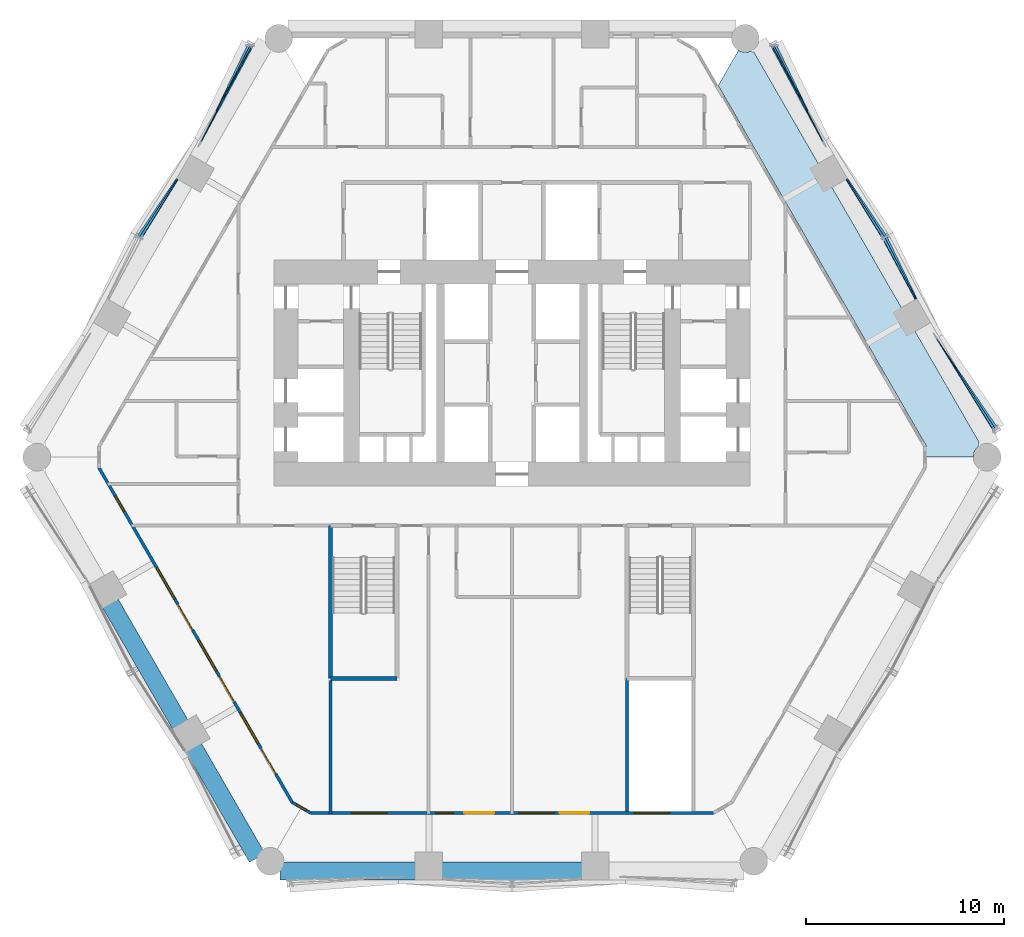
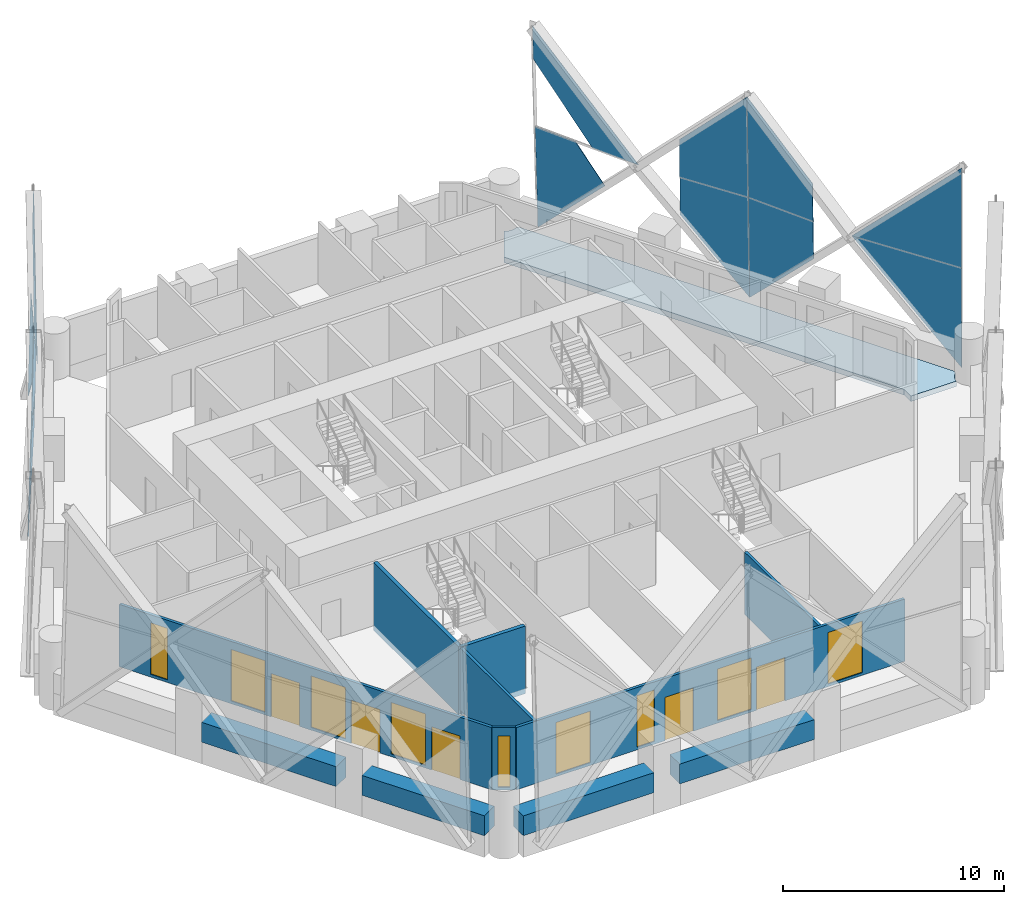
# One storey, part 10 of 22: 12 plates, 11 walls, 9 windows, 5 doors, 1 slab, 14 openings, 8 elements without a shape of their own.
"""IFC4 building model written with IfcOpenShell, lengths in metres."""

from ifc_helpers import new_model, si_unit, direction, frame, frame_2d, origin, place, context, subcontext, project, spatial, polyline, rectangle, outline, extrude, material, layer, layer_set, type_object, element, fill, aggregate, save


model = new_model("IFC4")

# Units and contexts
model_context = context("Model", 3, precision=1e-05, world=origin(), true_north=direction((0.0, 1.0)))
body_context = subcontext(model_context, "Body", "Model", "MODEL_VIEW")
ifc_project = project(units=[si_unit("LENGTHUNIT", "METRE"), si_unit("AREAUNIT", "SQUARE_METRE"), si_unit("VOLUMEUNIT", "CUBIC_METRE"), si_unit("PLANEANGLEUNIT", "RADIAN"), si_unit("MASSUNIT", "GRAM", prefix="KILO")], contexts=[model_context])

# Site, building, storey
site_placement = place(None, origin())
site = spatial("IfcSite", under=ifc_project, at=site_placement, CompositionType="ELEMENT")
building_placement = place(site_placement, origin())
building = spatial("IfcBuilding", under=site, at=building_placement, Name="Ostrander Bayou Hotel Tower", CompositionType="ELEMENT")
storey_placement = place(building_placement, frame((0.0, 0.0, 46.75)))
storey = spatial("IfcBuildingStorey", under=building, at=storey_placement, Name="L11", CompositionType="ELEMENT", Elevation=46.75)

# Curtain wall, plate
ifc_material_1 = material(Name="Aluminium and clear glass", Category="aluminium")
curtain_wall_type = type_object("IfcCurtainWallType", Name="CW-LAT lattice glazing", PredefinedType="NOTDEFINED", material=ifc_material_1)
curtain_wall_1_placement = place(storey_placement, origin())
curtain_wall_1 = element("IfcCurtainWall", 1, at=curtain_wall_1_placement, inside=storey, type_object=curtain_wall_type, Name="CW-LAT L11 NW 3", PredefinedType="NOTDEFINED")
ifc_material_2 = material(Name="Clear laminated glass", Category="glass")
ifc_layer_1 = layer(ifc_material_2, 0.028076171875)
ifc_layer_set_1 = layer_set([ifc_layer_1], Name="CW-LA glazing panel 28 mm")
plate_type = type_object("IfcPlateType", Name="CW-LA glazing panel 28 mm", PredefinedType="CURTAIN_PANEL", material=ifc_layer_set_1)
plate_1_placement = place(storey_placement, frame((-13.3544921875, 20.5185546875, -0.60009765625), z_axis=(-0.89062536532, 0.454183430759, 0.022447045957), x_axis=(0.025198434966, 5.387742e-06, 0.99968246901)))
plate_1 = element("IfcPlate", 2, at=plate_1_placement, type_object=plate_type, Name="CW-LAT panel 1", PredefinedType="CURTAIN_PANEL", context=body_context, shape_type="SweptSolid", body=[
    extrude(outline(polyline([(0.0, 0.0), (5.626788177907516, 0.0), (5.601831514890075, -2.1788914978830065), (3.700796780347023, -3.7178303025260844), (0.0, 0.0)])), origin(), (0.0, 0.0, -1.0), 0.028076171875),
])
aggregate(curtain_wall_1, [plate_1])

curtain_wall_2_placement = place(storey_placement, origin())
curtain_wall_2 = element("IfcCurtainWall", 3, at=curtain_wall_2_placement, inside=storey, type_object=curtain_wall_type, Name="CW-LAT L11 NW 4", PredefinedType="NOTDEFINED")
plate_2_placement = place(storey_placement, frame((-13.071044921875, 20.5185546875, 10.64990234375), z_axis=(-0.890639360391, 0.454156038706, 0.022445984704), x_axis=(-0.336095774285, -0.624258292283, -0.705224230315)))
plate_2 = element("IfcPlate", 4, at=plate_2_placement, type_object=plate_type, Name="CW-LAT panel 2", PredefinedType="CURTAIN_PANEL", context=body_context, shape_type="SweptSolid", body=[
    extrude(outline(polyline([(0.0, 0.0), (7.976183041802612, 0.0), (6.204292029007438, -1.763381190653607), (1.317052771988257, -1.2935387796803424), (0.0, 0.0)])), origin(), (0.0, 0.0, -1.0), 0.028076171875),
])
aggregate(curtain_wall_2, [plate_2])

curtain_wall_3_placement = place(storey_placement, origin())
curtain_wall_3 = element("IfcCurtainWall", 5, at=curtain_wall_3_placement, inside=storey, type_object=curtain_wall_type, Name="CW-LAT L11 NW 1", PredefinedType="NOTDEFINED")
plate_3_placement = place(storey_placement, frame((-16.931640625, 13.8056640625, 2.91748046875), z_axis=(-0.838664430623, 0.544210931703, 0.021827382435), x_axis=(-0.396818141258, -0.583089701635, -0.708901800404)))
plate_3 = element("IfcPlate", 6, at=plate_3_placement, type_object=plate_type, Name="CW-LAT panel 3", PredefinedType="CURTAIN_PANEL", context=body_context, shape_type="SweptSolid", body=[
    extrude(outline(polyline([(0.0, 0.0), (4.96200964441898, 8.881784197001252e-16), (0.9680712689100255, 3.962852128190844), (-1.4939786286011443, 1.487069289673575), (0.0, 0.0)])), origin(), (0.0, 0.0, -1.0), 0.028076171875),
])
aggregate(curtain_wall_3, [plate_3])

curtain_wall_4_placement = place(storey_placement, origin())
curtain_wall_4 = element("IfcCurtainWall", 7, at=curtain_wall_4_placement, inside=storey, type_object=curtain_wall_type, Name="CW-LAT L11 NW 2", PredefinedType="NOTDEFINED")
plate_4_placement = place(storey_placement, frame((-16.85400390625, 13.75634765625, 7.13671875), z_axis=(-0.838670088427, 0.544204399456, 0.02177279015), x_axis=(-0.370452075212, -0.599293714593, 0.709656468737)))
plate_4 = element("IfcPlate", 8, at=plate_4_placement, type_object=plate_type, Name="CW-LAT panel 4", PredefinedType="CURTAIN_PANEL", context=body_context, shape_type="SweptSolid", body=[
    extrude(outline(polyline([(0.0, 0.0), (4.950539500452615, 0.0), (0.9613400108662287, -3.9676121622848157), (-1.4994444041246424, -1.4878021795817205), (0.0, 0.0)])), origin(), (0.0, 0.0, -1.0), 0.028076171875),
])
aggregate(curtain_wall_4, [plate_4])

curtain_wall_5_placement = place(storey_placement, origin())
curtain_wall_5 = element("IfcCurtainWall", 9, at=curtain_wall_5_placement, inside=storey, type_object=curtain_wall_type, Name="CW-LAT L11 NE 3", PredefinedType="NOTDEFINED")
plate_5_placement = place(storey_placement, frame((21.33349609375, 5.871826171875, 5.02490234375), z_axis=(0.838643819387, 0.544218875088, 0.022413393356), x_axis=(0.394812024283, -0.579028738876, -0.713336656171)))
plate_5 = element("IfcPlate", 10, at=plate_5_placement, type_object=plate_type, Name="CW-LAT panel 1", PredefinedType="CURTAIN_PANEL", context=body_context, shape_type="SweptSolid", body=[
    extrude(outline(polyline([(0.0, 0.0), (7.885477286693286, -4.440892098500626e-16), (3.9159705439442805, -3.9879411453527975), (0.0, 0.0)])), origin(), (0.0, 0.0, -1.0), 0.028076171875),
])

curtain_wall_6_placement = place(storey_placement, origin())
curtain_wall_6 = element("IfcCurtainWall", 11, at=curtain_wall_6_placement, inside=storey, type_object=curtain_wall_type, Name="CW-LAT L11 NE 4", PredefinedType="NOTDEFINED")
plate_6_placement = place(storey_placement, frame((21.33349609375, 5.871826171875, 5.02490234375), z_axis=(0.83864268969, 0.544218141997, 0.022473383165), x_axis=(0.372541560407, -0.603210626156, 0.705230264709)))
plate_6 = element("IfcPlate", 12, at=plate_6_placement, type_object=plate_type, Name="CW-LAT panel 2", PredefinedType="CURTAIN_PANEL", context=body_context, shape_type="SweptSolid", body=[
    extrude(outline(polyline([(0.0, 0.0), (7.976118271551039, 0.0), (3.9615893043185784, 3.9426273046974245), (0.0, 0.0)])), origin(), (0.0, 0.0, -1.0), 0.028076171875),
])

curtain_wall_7_placement = place(storey_placement, origin())
curtain_wall_7 = element("IfcCurtainWall", 13, at=curtain_wall_7_placement, inside=storey, type_object=curtain_wall_type, Name="CW-LAT L11 NE 1", PredefinedType="NOTDEFINED")
plate_7_placement = place(storey_placement, frame((20.421875, 7.76025390625, 2.91748046875), z_axis=(0.890631466712, 0.454203541006, 0.02178838774), x_axis=(-0.306600484592, 0.635207173679, -0.708877979172)))
plate_7 = element("IfcPlate", 14, at=plate_7_placement, type_object=plate_type, Name="CW-LAT panel 3", PredefinedType="CURTAIN_PANEL", context=body_context, shape_type="SweptSolid", body=[
    extrude(outline(polyline([(0.0, 0.0), (4.962182949894906, 0.0), (0.9683003725977242, 3.96290835893576), (-1.4938161658655218, 1.487223460279935), (0.0, 0.0)])), origin(), (0.0, 0.0, -1.0), 0.028076171875),
])

curtain_wall_8_placement = place(storey_placement, origin())
curtain_wall_8 = element("IfcCurtainWall", 15, at=curtain_wall_8_placement, inside=storey, type_object=curtain_wall_type, Name="CW-LAT L11 NE 2", PredefinedType="NOTDEFINED")
plate_8_placement = place(storey_placement, frame((20.34033203125, 7.7177734375, 7.136474609375), z_axis=(0.89063385055, 0.454199373321, 0.021777821979), x_axis=(-0.333768722497, 0.620455792092, 0.709671085745)))
plate_8 = element("IfcPlate", 16, at=plate_8_placement, type_object=plate_type, Name="CW-LAT panel 4", PredefinedType="CURTAIN_PANEL", context=body_context, shape_type="SweptSolid", body=[
    extrude(outline(polyline([(0.0, 0.0), (4.950780782449883, -8.881784197001252e-16), (0.9614553903539447, -3.9674855703041274), (-1.4991843671542933, -1.4877186485164244), (0.0, 0.0)])), origin(), (0.0, 0.0, -1.0), 0.028076171875),
])

# Plate
plate_9_placement = place(storey_placement, frame((16.931640625, 13.8056640625, 2.91748046875), z_axis=(0.838664430623, 0.544210931703, 0.021827382435), x_axis=(0.396818141258, -0.583089701635, -0.708901800404)))
plate_9 = element("IfcPlate", 17, at=plate_9_placement, type_object=plate_type, Name="CW-LAT panel 5", PredefinedType="CURTAIN_PANEL", context=body_context, shape_type="SweptSolid", body=[
    extrude(outline(polyline([(0.0, 0.0), (4.96200964441898, -8.881784197001252e-16), (0.9680712689100255, -3.962852128190844), (-1.4939786286011443, -1.487069289673575), (0.0, 0.0)])), origin(), (0.0, 0.0, -1.0), 0.028076171875),
])

aggregate(curtain_wall_5, [plate_5, plate_9])

plate_10_placement = place(storey_placement, frame((16.85400390625, 13.75634765625, 7.13671875), z_axis=(0.838670088427, 0.544204399456, 0.02177279015), x_axis=(0.370452075212, -0.599293714593, 0.709656468737)))
plate_10 = element("IfcPlate", 18, at=plate_10_placement, type_object=plate_type, Name="CW-LAT panel 6", PredefinedType="CURTAIN_PANEL", context=body_context, shape_type="SweptSolid", body=[
    extrude(outline(polyline([(0.0, 0.0), (4.950539500452615, 0.0), (0.9613400108662287, 3.9676121622848157), (-1.4994444041246424, 1.4878021795817205), (0.0, 0.0)])), origin(), (0.0, 0.0, -1.0), 0.028076171875),
])

aggregate(curtain_wall_6, [plate_6, plate_10])

plate_11_placement = place(storey_placement, frame((13.212646484375, 20.5185546875, 5.02490234375), z_axis=(0.89062536532, 0.454183430759, 0.022447045957), x_axis=(0.025198434966, -5.387742e-06, -0.99968246901)))
plate_11 = element("IfcPlate", 19, at=plate_11_placement, type_object=plate_type, Name="CW-LAT panel 7", PredefinedType="CURTAIN_PANEL", context=body_context, shape_type="SweptSolid", body=[
    extrude(outline(polyline([(0.0, 0.0), (5.626788177907516, 0.0), (1.9259913975604925, -3.7178303025260844), (0.024956663017440425, -2.1788914978830065), (0.0, 0.0)])), origin(), (0.0, 0.0, -1.0), 0.028076171875),
])

aggregate(curtain_wall_7, [plate_7, plate_11])

plate_12_placement = place(storey_placement, frame((13.071044921875, 20.5185546875, 10.64990234375), z_axis=(0.890639360391, 0.454156038706, 0.022445984704), x_axis=(0.025180399388, 2.6891189e-05, -0.999682923113)))
plate_12 = element("IfcPlate", 20, at=plate_12_placement, type_object=plate_type, Name="CW-LAT panel 8", PredefinedType="CURTAIN_PANEL", context=body_context, shape_type="SweptSolid", body=[
    extrude(outline(polyline([(0.0, 0.0), (1.8460418680893622, 3.469446951953614e-18), (5.662050330048233, -3.0893266037693157), (5.690582736330082, -5.588985957874793), (0.0, 0.0)])), origin(), (0.0, 0.0, -1.0), 0.028076171875),
])

aggregate(curtain_wall_8, [plate_8, plate_12])

# Slab
ifc_material_3 = material(Name="Concrete f'c 40 MPa", Category="concrete")
ifc_layer_2 = layer(ifc_material_3, 0.300048828125)
ifc_layer_set_2 = layer_set([ifc_layer_2], Name="SL4 loggia slab 300 mm f'c 40 MPa")
slab_type = type_object("IfcSlabType", Name="SL4 loggia slab 300 mm f'c 40 MPa", PredefinedType="FLOOR", material=ifc_layer_set_2)
slab_placement = place(storey_placement, frame((0.0, 0.0, -0.300048828125)))
element("IfcSlab", 21, at=slab_placement, inside=storey, type_object=slab_type, Name="SL4 LOGGIA L11 NE 1", PredefinedType="FLOOR", context=body_context, shape_type="SweptSolid", body=[
    extrude(outline(polyline([(11.418701171875, 20.2685546875), (11.499267578125, 20.2255859375), (11.630615234375, 20.185791015625), (11.76708984375, 20.172119140625), (11.90380859375, 20.185791015625), (12.034912109375, 20.2255859375), (12.061279296875, 20.239501953125), (12.21630859375, 20.14990234375), (23.55859375, 0.50439453125), (23.55859375, 0.32666015625), (23.464599609375, 0.24951171875), (23.37744140625, 0.143310546875), (23.312744140625, 0.0224609375), (23.27294921875, -0.10888671875), (23.259521484375, -0.24560546875), (20.873779296875, -0.24560546875), (20.873779296875, 0.3544921875), (10.3974609375, 18.5), (11.418701171875, 20.2685546875)])), origin(), (0.0, 0.0, 1.0), 0.300048828125),
])

# Wall, openings, doors, windows
ifc_material_4 = material(Name="Aluminium framed insulated wall", Category="aluminium")
ifc_layer_3 = layer(ifc_material_4, 0.14990234375)
ifc_layer_set_3 = layer_set([ifc_layer_3], Name="GW1 glass-line wall 150 mm")
wall_type_1 = type_object("IfcWallType", Name="GW1 glass-line wall 150 mm", PredefinedType="SOLIDWALL", material=ifc_layer_set_3)
wall_1_placement = place(storey_placement, frame((-20.826171875, -0.778076171875, 0.0), z_axis=(0.0, 0.0, 1.0), x_axis=(0.499999841607, -0.866025495233, 0.0)))
wall_1 = element("IfcWall", 22, at=wall_1_placement, inside=storey, type_object=wall_type_1, Name="GW1 L11 SW 1", PredefinedType="SOLIDWALL", context=body_context, shape_type="SweptSolid", body=[
    extrude(rectangle(XDim=19.478515625, YDim=0.14990234375, at=frame_2d((9.7392578125, 0.0))), origin(), (0.0, 0.0, 1.0), 3.449951171875),
])
opening_1_placement = place(wall_1_placement, frame((1.639404296875, 0.0, 0.14990234375)))
opening_1 = element("IfcOpeningElement", 23, at=opening_1_placement, cuts=wall_1, Name="Opening W15", PredefinedType="OPENING", context=body_context, shape_type="SweptSolid", body=[
    extrude(rectangle(XDim=0.89990234375, YDim=2.85009765625, at=frame_2d((0.449951171875, 1.425048828125))), frame((0.0, 0.074951171875, 0.0), z_axis=(0.0, -1.0, 0.0), x_axis=(1.0, 0.0, 0.0)), (0.0, 0.0, 1.0), 0.14990234375),
])
opening_2_placement = place(wall_1_placement, frame((5.83935546875, 0.0, 0.14990234375)))
opening_2 = element("IfcOpeningElement", 24, at=opening_2_placement, cuts=wall_1, Name="Opening W1", PredefinedType="OPENING", context=body_context, shape_type="SweptSolid", body=[
    extrude(rectangle(XDim=1.800048828125, YDim=2.85009765625, at=frame_2d((0.89990234375, 1.425048828125))), frame((0.0, 0.074951171875, 0.0), z_axis=(0.0, -1.0, 0.0), x_axis=(1.0, 0.0, 0.0)), (0.0, 0.0, 1.0), 0.14990234375),
])
opening_3_placement = place(wall_1_placement, frame((7.939208984375, 0.0, 0.0)))
opening_3 = element("IfcOpeningElement", 25, at=opening_3_placement, cuts=wall_1, Name="Opening T09-800", PredefinedType="OPENING", context=body_context, shape_type="SweptSolid", body=[
    extrude(rectangle(XDim=1.5, YDim=2.39990234375, at=frame_2d((0.75, 1.199951171875))), frame((0.0, 0.074951171875, 0.0), z_axis=(0.0, -1.0, 0.0), x_axis=(1.0, 0.0, 0.0)), (0.0, 0.0, 1.0), 0.14990234375),
])
opening_4_placement = place(wall_1_placement, frame((10.039306640625, 0.0, 0.14990234375)))
opening_4 = element("IfcOpeningElement", 26, at=opening_4_placement, cuts=wall_1, Name="Opening W1", PredefinedType="OPENING", context=body_context, shape_type="SweptSolid", body=[
    extrude(rectangle(XDim=1.800048828125, YDim=2.85009765625, at=frame_2d((0.89990234375, 1.425048828125))), frame((0.0, 0.074951171875, 0.0), z_axis=(0.0, -1.0, 0.0), x_axis=(1.0, 0.0, 0.0)), (0.0, 0.0, 1.0), 0.14990234375),
])
opening_5_placement = place(wall_1_placement, frame((12.139404296875, 0.0, 0.0)))
opening_5 = element("IfcOpeningElement", 27, at=opening_5_placement, cuts=wall_1, Name="Opening T09-801", PredefinedType="OPENING", context=body_context, shape_type="SweptSolid", body=[
    extrude(rectangle(XDim=1.5, YDim=2.39990234375, at=frame_2d((0.75, 1.199951171875))), frame((0.0, 0.074951171875, 0.0), z_axis=(0.0, -1.0, 0.0), x_axis=(1.0, 0.0, 0.0)), (0.0, 0.0, 1.0), 0.14990234375),
])
opening_6_placement = place(wall_1_placement, frame((14.2392578125, 0.0, 0.14990234375)))
opening_6 = element("IfcOpeningElement", 28, at=opening_6_placement, cuts=wall_1, Name="Opening W1", PredefinedType="OPENING", context=body_context, shape_type="SweptSolid", body=[
    extrude(rectangle(XDim=1.800048828125, YDim=2.85009765625, at=frame_2d((0.89990234375, 1.425048828125))), frame((0.0, 0.074951171875, 0.0), z_axis=(0.0, -1.0, 0.0), x_axis=(1.0, 0.0, 0.0)), (0.0, 0.0, 1.0), 0.14990234375),
])
opening_7_placement = place(wall_1_placement, frame((16.33935546875, 0.0, 0.0)))
opening_7 = element("IfcOpeningElement", 29, at=opening_7_placement, cuts=wall_1, Name="Opening T09-802", PredefinedType="OPENING", context=body_context, shape_type="SweptSolid", body=[
    extrude(rectangle(XDim=1.5, YDim=2.39990234375, at=frame_2d((0.75, 1.199951171875))), frame((0.0, 0.074951171875, 0.0), z_axis=(0.0, -1.0, 0.0), x_axis=(1.0, 0.0, 0.0)), (0.0, 0.0, 1.0), 0.14990234375),
])
ifc_material_5 = material(Name="Aluminium and clear glass", Category="aluminium")
door_type = type_object("IfcDoorType", Name="SD1 sliding glass door 1500 mm, zone 1", OperationType="SLIDING_TO_LEFT", PredefinedType="DOOR", material=ifc_material_5)
door_1_placement = place(opening_3_placement, origin())
door_1 = element("IfcDoor", 30, at=door_1_placement, inside=storey, type_object=door_type, Name="SD1 L11 SW 2", OperationType="SLIDING_TO_RIGHT", OverallHeight=2.39990234375, OverallWidth=1.5, PredefinedType="DOOR", context=body_context, shape_type="SweptSolid", body=[
    extrude(rectangle(XDim=1.5, YDim=2.39990234375, at=frame_2d((0.75, 1.199951171875))), frame((0.0, 0.02490234375, 0.0), z_axis=(0.0, -1.0, 0.0), x_axis=(1.0, 0.0, 0.0)), (0.0, 0.0, 1.0), 0.050048828125),
])
fill(opening_3, door_1)
door_2_placement = place(opening_5_placement, origin())
door_2 = element("IfcDoor", 31, at=door_2_placement, inside=storey, type_object=door_type, Name="SD1 L11 SW 3", OperationType="SLIDING_TO_LEFT", OverallHeight=2.39990234375, OverallWidth=1.5, PredefinedType="DOOR", context=body_context, shape_type="SweptSolid", body=[
    extrude(rectangle(XDim=1.5, YDim=2.39990234375, at=frame_2d((0.75, 1.199951171875))), frame((0.0, 0.02490234375, 0.0), z_axis=(0.0, -1.0, 0.0), x_axis=(1.0, 0.0, 0.0)), (0.0, 0.0, 1.0), 0.050048828125),
])
fill(opening_5, door_2)
door_3_placement = place(opening_7_placement, origin())
door_3 = element("IfcDoor", 32, at=door_3_placement, inside=storey, type_object=door_type, Name="SD1 L11 SW 4", OperationType="SLIDING_TO_RIGHT", OverallHeight=2.39990234375, OverallWidth=1.5, PredefinedType="DOOR", context=body_context, shape_type="SweptSolid", body=[
    extrude(rectangle(XDim=1.5, YDim=2.39990234375, at=frame_2d((0.75, 1.199951171875))), frame((0.0, 0.02490234375, 0.0), z_axis=(0.0, -1.0, 0.0), x_axis=(1.0, 0.0, 0.0)), (0.0, 0.0, 1.0), 0.050048828125),
])
fill(opening_7, door_3)
ifc_material_6 = material(Name="Aluminium and clear glass", Category="aluminium")
window_type_1 = type_object("IfcWindowType", Name="W1 fixed window 1800 mm, zone 1", PartitioningType="SINGLE_PANEL", PredefinedType="WINDOW", material=ifc_material_6)
window_1_placement = place(opening_2_placement, origin())
window_1 = element("IfcWindow", 33, at=window_1_placement, inside=storey, type_object=window_type_1, Name="W1 L11 SW 2", OverallHeight=2.85009765625, OverallWidth=1.800048828125, PartitioningType="SINGLE_PANEL", PredefinedType="WINDOW", context=body_context, shape_type="SweptSolid", body=[
    extrude(rectangle(XDim=1.800048828125, YDim=2.85009765625, at=frame_2d((0.89990234375, 1.425048828125))), frame((0.0, 0.030029296875, 0.0), z_axis=(0.0, -1.0, 0.0), x_axis=(1.0, 0.0, 0.0)), (0.0, 0.0, 1.0), 0.06005859375),
])
fill(opening_2, window_1)
window_2_placement = place(opening_4_placement, origin())
window_2 = element("IfcWindow", 34, at=window_2_placement, inside=storey, type_object=window_type_1, Name="W1 L11 SW 3", OverallHeight=2.85009765625, OverallWidth=1.800048828125, PartitioningType="SINGLE_PANEL", PredefinedType="WINDOW", context=body_context, shape_type="SweptSolid", body=[
    extrude(rectangle(XDim=1.800048828125, YDim=2.85009765625, at=frame_2d((0.89990234375, 1.425048828125))), frame((0.0, 0.030029296875, 0.0), z_axis=(0.0, -1.0, 0.0), x_axis=(1.0, 0.0, 0.0)), (0.0, 0.0, 1.0), 0.06005859375),
])
fill(opening_4, window_2)
window_3_placement = place(opening_6_placement, origin())
window_3 = element("IfcWindow", 35, at=window_3_placement, inside=storey, type_object=window_type_1, Name="W1 L11 SW 4", OverallHeight=2.85009765625, OverallWidth=1.800048828125, PartitioningType="SINGLE_PANEL", PredefinedType="WINDOW", context=body_context, shape_type="SweptSolid", body=[
    extrude(rectangle(XDim=1.800048828125, YDim=2.85009765625, at=frame_2d((0.89990234375, 1.425048828125))), frame((0.0, 0.030029296875, 0.0), z_axis=(0.0, -1.0, 0.0), x_axis=(1.0, 0.0, 0.0)), (0.0, 0.0, 1.0), 0.06005859375),
])
fill(opening_6, window_3)
ifc_material_7 = material(Name="Aluminium and clear glass", Category="aluminium")
window_type_2 = type_object("IfcWindowType", Name="W15 window 900 mm, zone 1", PartitioningType="SINGLE_PANEL", PredefinedType="WINDOW", material=ifc_material_7)
window_4_placement = place(opening_1_placement, origin())
window_4 = element("IfcWindow", 36, at=window_4_placement, inside=storey, type_object=window_type_2, Name="W15 L11 SW 1", OverallHeight=2.85009765625, OverallWidth=0.89990234375, PartitioningType="SINGLE_PANEL", PredefinedType="WINDOW", context=body_context, shape_type="SweptSolid", body=[
    extrude(rectangle(XDim=0.89990234375, YDim=2.85009765625, at=frame_2d((0.449951171875, 1.425048828125))), frame((0.0, 0.030029296875, 0.0), z_axis=(0.0, -1.0, 0.0), x_axis=(1.0, 0.0, 0.0)), (0.0, 0.0, 1.0), 0.06005859375),
])
fill(opening_1, window_4)

wall_2_placement = place(storey_placement, frame((-10.16455078125, -18.179443359375, 0.0), z_axis=(0.0, 0.0, 1.0), x_axis=(1.0, 0.0, 0.0)))
wall_2 = element("IfcWall", 37, at=wall_2_placement, inside=storey, type_object=wall_type_1, Name="GW1 L11 S 1", PredefinedType="SOLIDWALL", context=body_context, shape_type="SweptSolid", body=[
    extrude(rectangle(XDim=20.3291015625, YDim=0.14990234375, at=frame_2d((10.16455078125, 0.0))), origin(), (0.0, 0.0, 1.0), 3.449951171875),
])
opening_8_placement = place(wall_2_placement, frame((2.064453125, 0.0, 0.14990234375)))
opening_8 = element("IfcOpeningElement", 38, at=opening_8_placement, cuts=wall_2, Name="Opening W1", PredefinedType="OPENING", context=body_context, shape_type="SweptSolid", body=[
    extrude(rectangle(XDim=1.800048828125, YDim=2.85009765625, at=frame_2d((0.89990234375, 1.425048828125))), frame((0.0, 0.074951171875, 0.0), z_axis=(0.0, -1.0, 0.0), x_axis=(1.0, 0.0, 0.0)), (0.0, 0.0, 1.0), 0.14990234375),
])
opening_9_placement = place(wall_2_placement, frame((6.314453125, 0.0, 0.14990234375)))
opening_9 = element("IfcOpeningElement", 39, at=opening_9_placement, cuts=wall_2, Name="Opening W15", PredefinedType="OPENING", context=body_context, shape_type="SweptSolid", body=[
    extrude(rectangle(XDim=0.89990234375, YDim=2.85009765625, at=frame_2d((0.449951171875, 1.425048828125))), frame((0.0, 0.074951171875, 0.0), z_axis=(0.0, -1.0, 0.0), x_axis=(1.0, 0.0, 0.0)), (0.0, 0.0, 1.0), 0.14990234375),
])
opening_10_placement = place(wall_2_placement, frame((7.764404296875, 0.0, 0.0)))
opening_10 = element("IfcOpeningElement", 40, at=opening_10_placement, cuts=wall_2, Name="Opening T09-803", PredefinedType="OPENING", context=body_context, shape_type="SweptSolid", body=[
    extrude(rectangle(XDim=1.5, YDim=2.39990234375, at=frame_2d((0.75, 1.199951171875))), frame((0.0, 0.074951171875, 0.0), z_axis=(0.0, -1.0, 0.0), x_axis=(1.0, 0.0, 0.0)), (0.0, 0.0, 1.0), 0.14990234375),
])
opening_11_placement = place(wall_2_placement, frame((10.514404296875, 0.0, 0.14990234375)))
opening_11 = element("IfcOpeningElement", 41, at=opening_11_placement, cuts=wall_2, Name="Opening W1", PredefinedType="OPENING", context=body_context, shape_type="SweptSolid", body=[
    extrude(rectangle(XDim=1.800048828125, YDim=2.85009765625, at=frame_2d((0.89990234375, 1.425048828125))), frame((0.0, 0.074951171875, 0.0), z_axis=(0.0, -1.0, 0.0), x_axis=(1.0, 0.0, 0.0)), (0.0, 0.0, 1.0), 0.14990234375),
])
opening_12_placement = place(wall_2_placement, frame((12.564453125, 0.0, 0.0)))
opening_12 = element("IfcOpeningElement", 42, at=opening_12_placement, cuts=wall_2, Name="Opening T09-804", PredefinedType="OPENING", context=body_context, shape_type="SweptSolid", body=[
    extrude(rectangle(XDim=1.5, YDim=2.39990234375, at=frame_2d((0.75, 1.199951171875))), frame((0.0, 0.074951171875, 0.0), z_axis=(0.0, -1.0, 0.0), x_axis=(1.0, 0.0, 0.0)), (0.0, 0.0, 1.0), 0.14990234375),
])
opening_13_placement = place(wall_2_placement, frame((16.314453125, 0.0, 0.14990234375)))
opening_13 = element("IfcOpeningElement", 43, at=opening_13_placement, cuts=wall_2, Name="Opening W1", PredefinedType="OPENING", context=body_context, shape_type="SweptSolid", body=[
    extrude(rectangle(XDim=1.800048828125, YDim=2.85009765625, at=frame_2d((0.89990234375, 1.425048828125))), frame((0.0, 0.074951171875, 0.0), z_axis=(0.0, -1.0, 0.0), x_axis=(1.0, 0.0, 0.0)), (0.0, 0.0, 1.0), 0.14990234375),
])
door_4_placement = place(opening_10_placement, origin())
door_4 = element("IfcDoor", 44, at=door_4_placement, inside=storey, type_object=door_type, Name="SD1 L11 S 2", OperationType="SLIDING_TO_RIGHT", OverallHeight=2.39990234375, OverallWidth=1.5, PredefinedType="DOOR", context=body_context, shape_type="SweptSolid", body=[
    extrude(rectangle(XDim=1.5, YDim=2.39990234375, at=frame_2d((0.75, 1.199951171875))), frame((0.0, 0.02490234375, 0.0), z_axis=(0.0, -1.0, 0.0), x_axis=(1.0, 0.0, 0.0)), (0.0, 0.0, 1.0), 0.050048828125),
])
fill(opening_10, door_4)
door_5_placement = place(opening_12_placement, origin())
door_5 = element("IfcDoor", 45, at=door_5_placement, inside=storey, type_object=door_type, Name="SD1 L11 S 3", OperationType="SLIDING_TO_LEFT", OverallHeight=2.39990234375, OverallWidth=1.5, PredefinedType="DOOR", context=body_context, shape_type="SweptSolid", body=[
    extrude(rectangle(XDim=1.5, YDim=2.39990234375, at=frame_2d((0.75, 1.199951171875))), frame((0.0, 0.02490234375, 0.0), z_axis=(0.0, -1.0, 0.0), x_axis=(1.0, 0.0, 0.0)), (0.0, 0.0, 1.0), 0.050048828125),
])
fill(opening_12, door_5)
window_5_placement = place(opening_8_placement, origin())
window_5 = element("IfcWindow", 46, at=window_5_placement, inside=storey, type_object=window_type_1, Name="W1 L11 S 1", OverallHeight=2.85009765625, OverallWidth=1.800048828125, PartitioningType="SINGLE_PANEL", PredefinedType="WINDOW", context=body_context, shape_type="SweptSolid", body=[
    extrude(rectangle(XDim=1.800048828125, YDim=2.85009765625, at=frame_2d((0.89990234375, 1.425048828125))), frame((0.0, 0.030029296875, 0.0), z_axis=(0.0, -1.0, 0.0), x_axis=(1.0, 0.0, 0.0)), (0.0, 0.0, 1.0), 0.06005859375),
])
fill(opening_8, window_5)
window_6_placement = place(opening_11_placement, origin())
window_6 = element("IfcWindow", 47, at=window_6_placement, inside=storey, type_object=window_type_1, Name="W1 L11 S 3", OverallHeight=2.85009765625, OverallWidth=1.800048828125, PartitioningType="SINGLE_PANEL", PredefinedType="WINDOW", context=body_context, shape_type="SweptSolid", body=[
    extrude(rectangle(XDim=1.800048828125, YDim=2.85009765625, at=frame_2d((0.89990234375, 1.425048828125))), frame((0.0, 0.030029296875, 0.0), z_axis=(0.0, -1.0, 0.0), x_axis=(1.0, 0.0, 0.0)), (0.0, 0.0, 1.0), 0.06005859375),
])
fill(opening_11, window_6)
window_7_placement = place(opening_13_placement, origin())
window_7 = element("IfcWindow", 48, at=window_7_placement, inside=storey, type_object=window_type_1, Name="W1 L11 S 4", OverallHeight=2.85009765625, OverallWidth=1.800048828125, PartitioningType="SINGLE_PANEL", PredefinedType="WINDOW", context=body_context, shape_type="SweptSolid", body=[
    extrude(rectangle(XDim=1.800048828125, YDim=2.85009765625, at=frame_2d((0.89990234375, 1.425048828125))), frame((0.0, 0.030029296875, 0.0), z_axis=(0.0, -1.0, 0.0), x_axis=(1.0, 0.0, 0.0)), (0.0, 0.0, 1.0), 0.06005859375),
])
fill(opening_13, window_7)
window_8_placement = place(opening_9_placement, origin())
window_8 = element("IfcWindow", 49, at=window_8_placement, inside=storey, type_object=window_type_2, Name="W15 L11 S 2", OverallHeight=2.85009765625, OverallWidth=0.89990234375, PartitioningType="SINGLE_PANEL", PredefinedType="WINDOW", context=body_context, shape_type="SweptSolid", body=[
    extrude(rectangle(XDim=0.89990234375, YDim=2.85009765625, at=frame_2d((0.449951171875, 1.425048828125))), frame((0.0, 0.030029296875, 0.0), z_axis=(0.0, -1.0, 0.0), x_axis=(1.0, 0.0, 0.0)), (0.0, 0.0, 1.0), 0.06005859375),
])
fill(opening_9, window_8)

# Wall, opening, window
wall_3_placement = place(storey_placement, frame((-11.0869140625, -17.64697265625, 0.0), z_axis=(0.0, 0.0, 1.0), x_axis=(0.866048165231, -0.499960573946, 0.0)))
wall_3 = element("IfcWall", 50, at=wall_3_placement, inside=storey, type_object=wall_type_1, Name="GW1 L11 corner 3", PredefinedType="SOLIDWALL", context=body_context, shape_type="SweptSolid", body=[
    extrude(rectangle(XDim=1.06494140625, YDim=0.14990234375, at=frame_2d((0.532470703125, 0.0))), origin(), (0.0, 0.0, 1.0), 3.449951171875),
])
opening_14_placement = place(wall_3_placement, frame((0.257568359375, 0.0, 0.14990234375)))
opening_14 = element("IfcOpeningElement", 51, at=opening_14_placement, cuts=wall_3, Name="Opening W19", PredefinedType="OPENING", context=body_context, shape_type="SweptSolid", body=[
    extrude(rectangle(XDim=0.550048828125, YDim=2.85009765625, at=frame_2d((0.27490234375, 1.425048828125))), frame((0.0, 0.074951171875, 0.0), z_axis=(0.0, -1.0, 0.0), x_axis=(1.0, 0.0, 0.0)), (0.0, 0.0, 1.0), 0.14990234375),
])
ifc_material_8 = material(Name="Aluminium and clear glass", Category="aluminium")
window_type_3 = type_object("IfcWindowType", Name="W19 corner window 550 mm", PartitioningType="SINGLE_PANEL", PredefinedType="WINDOW", material=ifc_material_8)
window_9_placement = place(opening_14_placement, origin())
window_9 = element("IfcWindow", 52, at=window_9_placement, inside=storey, type_object=window_type_3, Name="W19 L11 corner 3", OverallHeight=2.85009765625, OverallWidth=0.550048828125, PartitioningType="SINGLE_PANEL", PredefinedType="WINDOW", context=body_context, shape_type="SweptSolid", body=[
    extrude(rectangle(XDim=0.550048828125, YDim=2.85009765625, at=frame_2d((0.27490234375, 1.425048828125))), frame((0.0, 0.030029296875, 0.0), z_axis=(0.0, -1.0, 0.0), x_axis=(1.0, 0.0, 0.0)), (0.0, 0.0, 1.0), 0.06005859375),
])
fill(opening_14, window_9)

# Walls
ifc_material_9 = material(Name="Concrete f'c 40 MPa", Category="concrete")
ifc_layer_4 = layer(ifc_material_9, 0.89990234375)
ifc_layer_set_4 = layer_set([ifc_layer_4], Name="PA1 stone-faced parapet 900 mm")
wall_type_2 = type_object("IfcWallType", Name="PA1 stone-faced parapet 900 mm", PredefinedType="PARAPET", material=ifc_layer_set_4)
wall_4_placement = place(storey_placement, frame((-11.710693359375, -21.1044921875, 0.0), z_axis=(0.0, 0.0, 1.0), x_axis=(1.0, 0.0, 0.0)))
element("IfcWall", 53, at=wall_4_placement, inside=storey, type_object=wall_type_2, Name="PA1 L11 S-1", PredefinedType="PARAPET", context=body_context, shape_type="SweptSolid", body=[
    extrude(rectangle(XDim=6.84521484375, YDim=0.89990234375, at=frame_2d((3.422607421875, 0.0))), origin(), (0.0, 0.0, 1.0), 1.10009765625),
])
wall_5_placement = place(storey_placement, frame((-3.525390625, -21.1044921875, 0.0), z_axis=(0.0, 0.0, 1.0), x_axis=(1.0, 0.0, 0.0)))
element("IfcWall", 54, at=wall_5_placement, inside=storey, type_object=wall_type_2, Name="PA1 L11 S-2", PredefinedType="PARAPET", context=body_context, shape_type="SweptSolid", body=[
    extrude(rectangle(XDim=7.05078125, YDim=0.89990234375, at=frame_2d((3.525390625, 0.0))), origin(), (0.0, 0.0, 1.0), 1.10009765625),
])
ifc_material_10 = material(Name="Limestone masonry", Category="masonry")
ifc_layer_5 = layer(ifc_material_10, 0.89990234375)
ifc_layer_set_5 = layer_set([ifc_layer_5], Name="PA2 limestone parapet 900 mm")
wall_type_3 = type_object("IfcWallType", Name="PA2 limestone parapet 900 mm", PredefinedType="PARAPET", material=ifc_layer_set_5)
wall_6_placement = place(storey_placement, frame((-20.252197265625, -7.621826171875, 0.0), z_axis=(0.0, 0.0, 1.0), x_axis=(0.499997206141, -0.866027016814, 0.0)))
element("IfcWall", 55, at=wall_6_placement, inside=storey, type_object=wall_type_3, Name="PA2 L11 SW-2", PredefinedType="PARAPET", context=body_context, shape_type="SweptSolid", body=[
    extrude(rectangle(XDim=7.05078125, YDim=0.89990234375, at=frame_2d((3.525390625, 0.0))), origin(), (0.0, 0.0, 1.0), 1.10009765625),
])
wall_7_placement = place(storey_placement, frame((-16.056884765625, -14.888671875, 0.0), z_axis=(0.0, 0.0, 1.0), x_axis=(0.500000066162, -0.866025365586, 0.0)))
element("IfcWall", 56, at=wall_7_placement, inside=storey, type_object=wall_type_3, Name="PA2 L11 SW-3", PredefinedType="PARAPET", context=body_context, shape_type="SweptSolid", body=[
    extrude(rectangle(XDim=6.419921875, YDim=0.89990234375, at=frame_2d((3.2099609375, 0.0))), origin(), (0.0, 0.0, 1.0), 1.10009765625),
])
ifc_material_11 = material(Name="Gypsum board partition", Category="finish")
ifc_layer_6 = layer(ifc_material_11, 0.14990234375)
ifc_layer_set_6 = layer_set([ifc_layer_6], Name="PT7 riser wall 150 mm, 2 hour")
wall_type_4 = type_object("IfcWallType", Name="PT7 riser wall 150 mm, 2 hour", PredefinedType="PARTITIONING", material=ifc_layer_set_6)
wall_8_placement = place(storey_placement, frame((5.800048828125, -11.39990234375, 0.0), z_axis=(0.0, 0.0, 1.0), x_axis=(0.0, -1.0, 0.0)))
element("IfcWall", 57, at=wall_8_placement, inside=storey, type_object=wall_type_4, Name="cs:L11:021", PredefinedType="PARTITIONING", context=body_context, shape_type="SweptSolid", body=[
    extrude(rectangle(XDim=6.70458984375, YDim=0.14990234375, at=frame_2d((3.352294921875, 0.0))), origin(), (0.0, 0.0, 1.0), 3.449951171875),
])
ifc_material_12 = material(Name="Gypsum board partition", Category="finish")
ifc_layer_7 = layer(ifc_material_12, 0.14990234375)
ifc_layer_set_7 = layer_set([ifc_layer_7], Name="PT8 service band wall 150 mm, 1 hour")
wall_type_5 = type_object("IfcWallType", Name="PT8 service band wall 150 mm, 1 hour", PredefinedType="PARTITIONING", material=ifc_layer_set_7)
wall_9_placement = place(storey_placement, frame((-9.14990234375, -18.22509765625, 0.0), z_axis=(0.0, 0.0, 1.0), x_axis=(0.0, 1.0, 0.0)))
element("IfcWall", 58, at=wall_9_placement, inside=storey, type_object=wall_type_5, Name="gw:L11:034", PredefinedType="PARTITIONING", context=body_context, shape_type="SweptSolid", body=[
    extrude(rectangle(XDim=6.715087890625, YDim=0.14990234375, at=frame_2d((3.357421875, 0.0))), origin(), (0.0, 0.0, 1.0), 3.449951171875),
])
ifc_material_13 = material(Name="Concrete f'c 45 MPa", Category="concrete")
ifc_layer_8 = layer(ifc_material_13, 0.199951171875)
ifc_layer_set_8 = layer_set([ifc_layer_8], Name="SW5 stair enclosure wall 200 mm f'c 45 MPa")
wall_type_6 = type_object("IfcWallType", Name="SW5 stair enclosure wall 200 mm f'c 45 MPa", PredefinedType="SOLIDWALL", material=ifc_layer_set_8)
wall_10_placement = place(storey_placement, frame((-9.14990234375, -3.699951171875, -0.300048828125), z_axis=(0.0, 0.0, 1.0), x_axis=(0.0, -1.0, 0.0)))
element("IfcWall", 59, at=wall_10_placement, inside=storey, type_object=wall_type_6, Name="cs:L11:024", PredefinedType="SOLIDWALL", context=body_context, shape_type="SweptSolid", body=[
    extrude(rectangle(XDim=7.699951171875, YDim=0.199951171875, at=frame_2d((3.85009765625, 0.0))), origin(), (0.0, 0.0, 1.0), 3.75),
])
wall_11_placement = place(storey_placement, frame((-9.14990234375, -11.39990234375, -0.300048828125), z_axis=(0.0, 0.0, 1.0), x_axis=(1.0, 0.0, 0.0)))
element("IfcWall", 60, at=wall_11_placement, inside=storey, type_object=wall_type_6, Name="cs:L11:026", PredefinedType="SOLIDWALL", context=body_context, shape_type="SweptSolid", body=[
    extrude(rectangle(XDim=3.349853515625, YDim=0.199951171875, at=frame_2d((1.6748046875, 0.0))), origin(), (0.0, 0.0, 1.0), 3.75),
])

save(model, "model.ifc")
